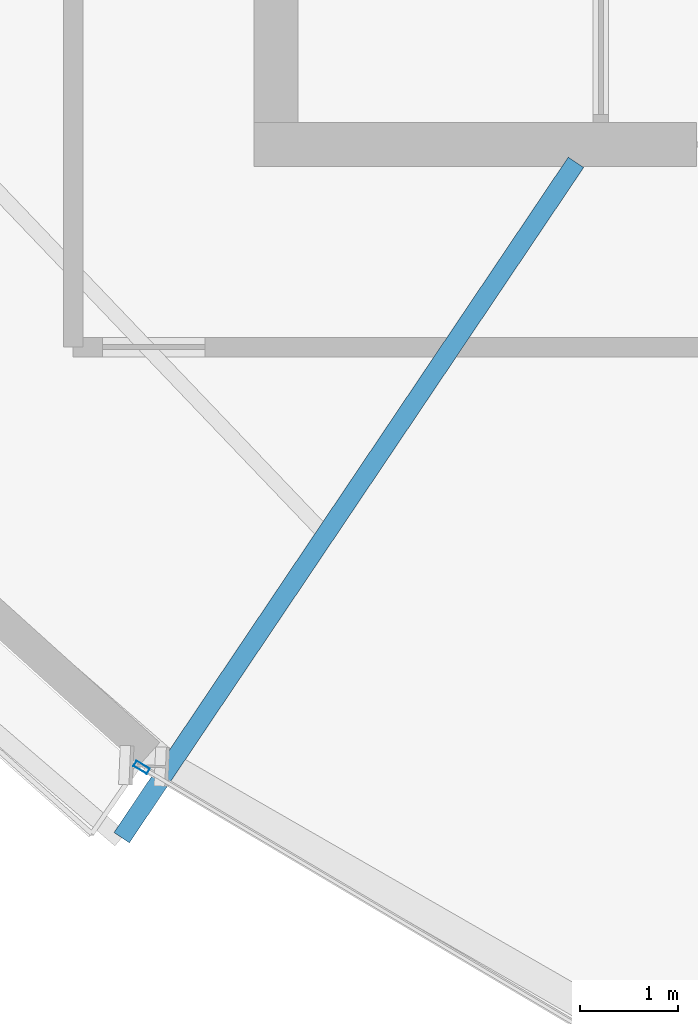
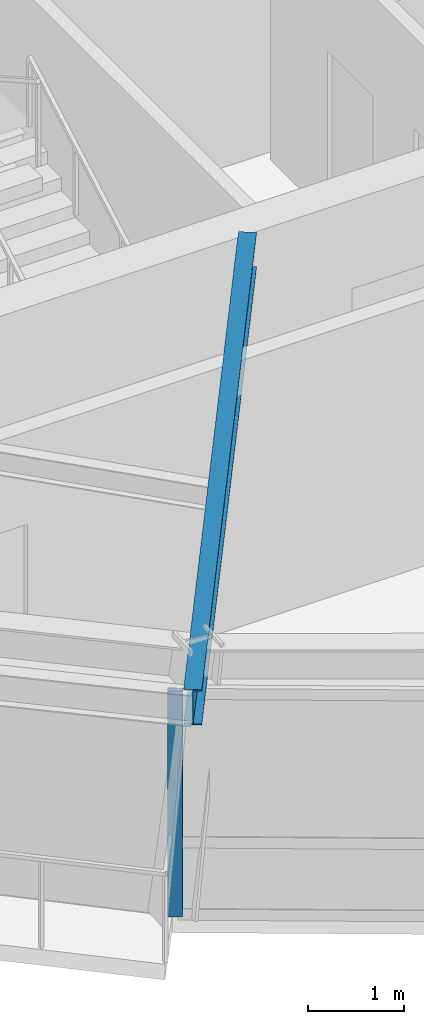
# One storey, part 2 of 14: 1 beam, 1 member, 1 element without a shape of its own.
"""IFC4 building model written with IfcOpenShell, lengths in metres."""

import ifcopenshell
import ifcopenshell.guid

model = None  # the IFC model being written
_history = None  # IfcOwnerHistory: only IFC2X3 demands one
_inside = {}  # id of a spatial element -> (the spatial element, [elements in it])
_under = {}  # id of a project, library or spatial element -> (it, [spatial elements below it])
_declared = {}  # id of a project -> (the project, [libraries it declares])
_typed = {}  # id of a type object -> (the type object, [elements of that type])
_made_of = {}  # id of a material, layer set ... -> (it, [elements and type objects made of it])


def new_model(schema):
    """Start an empty IFC model of exactly this schema.

    Asked for "IFC4X3", IfcOpenShell would pick the latest addendum, in which some entities
    have other attributes; the version numbers below select the first issue.
    IFC2X3 requires an IfcOwnerHistory on every rooted entity: one is made here for all.
    """
    global model, _history
    if schema == "IFC4X3":
        model = ifcopenshell.file(schema_version=(4, 3, 0, 0))
    else:
        model = ifcopenshell.file(schema=schema)
    _inside.clear()
    _under.clear()
    _declared.clear()
    _typed.clear()
    _made_of.clear()
    _history = None
    if model.schema == "IFC2X3":
        org = make("IfcOrganization", Name="unknown")
        user = make(
            "IfcPersonAndOrganization",
            ThePerson=make("IfcPerson", FamilyName="unknown"),
            TheOrganization=org,
        )
        app = make(
            "IfcApplication",
            ApplicationDeveloper=org,
            Version="unknown",
            ApplicationFullName="unknown",
            ApplicationIdentifier="unknown",
        )
        _history = make(
            "IfcOwnerHistory",
            OwningUser=user,
            OwningApplication=app,
            ChangeAction="ADDED",
            CreationDate=0,
        )
    return model


def make(cls, **values):
    """One entity of the class cls with the attributes given. An attribute that is None is left unset."""
    return model.create_entity(
        cls, **{name: value for name, value in values.items() if value is not None}
    )


def rooted(cls, **values):
    """An entity with a GlobalId (a new one), such as an element, a storey or a relation."""
    return make(cls, GlobalId=ifcopenshell.guid.new(), OwnerHistory=_history, **values)


def si_unit(unit_type, name, prefix=None):
    """IfcSIUnit, for example si_unit("LENGTHUNIT", "METRE", prefix="MILLI")."""
    return make("IfcSIUnit", UnitType=unit_type, Prefix=prefix, Name=name)


def assignment(units):
    """IfcUnitAssignment: the units of a project."""
    return None if units is None else make("IfcUnitAssignment", Units=units)


def point(xyz):
    """IfcCartesianPoint."""
    return None if xyz is None else make("IfcCartesianPoint", Coordinates=xyz)


def direction(xyz):
    """IfcDirection."""
    return None if xyz is None else make("IfcDirection", DirectionRatios=xyz)


def frame(location, z_axis=None, x_axis=None):
    """IfcAxis2Placement3D, a coordinate frame: its origin and axes. An axis left out is left unset."""
    return make(
        "IfcAxis2Placement3D",
        Location=point(location),
        Axis=direction(z_axis),
        RefDirection=direction(x_axis),
    )


def frame_2d(location, x_axis=None):
    """IfcAxis2Placement2D, a coordinate frame in the plane: its origin and x axis."""
    return make(
        "IfcAxis2Placement2D", Location=point(location), RefDirection=direction(x_axis)
    )


def origin():
    """The frame at (0, 0, 0) with its axes left unset."""
    return frame((0.0, 0.0, 0.0))


def origin_2d():
    """The frame at (0, 0) in the plane with its x axis left unset."""
    return frame_2d((0.0, 0.0))


def place(relative_to, where):
    """IfcLocalPlacement: puts the frame where relative to a parent placement (None: the world)."""
    return make(
        "IfcLocalPlacement", PlacementRelTo=relative_to, RelativePlacement=where
    )


def context(
    kind, dimensions, precision=None, world=None, true_north=None, identifier=None
):
    """IfcGeometricRepresentationContext, for example the 3D "Model" context."""
    return make(
        "IfcGeometricRepresentationContext",
        ContextIdentifier=identifier,
        ContextType=kind,
        CoordinateSpaceDimension=dimensions,
        Precision=precision,
        WorldCoordinateSystem=world,
        TrueNorth=true_north,
    )


def subcontext(parent, identifier, kind, view, scale=None):
    """IfcGeometricRepresentationSubContext, for example "Body" below "Model"."""
    return make(
        "IfcGeometricRepresentationSubContext",
        ContextIdentifier=identifier,
        ContextType=kind,
        ParentContext=parent,
        TargetScale=scale,
        TargetView=view,
    )


def project(units=None, contexts=None):
    """IfcProject with its units and contexts."""
    return rooted(
        "IfcProject",
        Name="project",
        RepresentationContexts=contexts,
        UnitsInContext=assignment(units),
    )


def spatial(cls, under=None, at=None, **own):
    """A site, building, storey or space (cls), placed at a placement, below another one or the project."""
    s = rooted(cls, ObjectPlacement=at, **own)
    if under is not None:
        _under.setdefault(under.id(), (under, []))[1].append(s)
    return s


def profile(cls, at=None, kind="AREA", **sizes):
    """A parametric profile (cls). Its sizes go by their IFC names, for example OverallWidth=200.0."""
    return make(cls, ProfileType=kind, Position=at, **sizes)


def hollow_rectangle(**sizes):
    """IfcRectangleHollowProfileDef."""
    return profile("IfcRectangleHollowProfileDef", **sizes)


def i_section(**sizes):
    """IfcIShapeProfileDef."""
    return profile("IfcIShapeProfileDef", **sizes)


def extrude(swept, where, along, depth):
    """IfcExtrudedAreaSolid: the profile swept, set in the frame where, extruded along a direction by depth."""
    return make(
        "IfcExtrudedAreaSolid",
        SweptArea=swept,
        Position=where,
        ExtrudedDirection=direction(along),
        Depth=depth,
    )


def shape(context_of_items, identifier, shape_type, items):
    """IfcShapeRepresentation: the items that make up one representation, for example the "Body"."""
    return make(
        "IfcShapeRepresentation",
        ContextOfItems=context_of_items,
        RepresentationIdentifier=identifier,
        RepresentationType=shape_type,
        Items=items,
    )


def source(mapping_origin, context_of_items, identifier, shape_type, items):
    """IfcRepresentationMap: a shape defined once, which mapped items show again and again."""
    return make(
        "IfcRepresentationMap",
        MappingOrigin=mapping_origin,
        MappedRepresentation=shape(context_of_items, identifier, shape_type, items),
    )


def transform(
    local_origin,
    x_axis=None,
    y_axis=None,
    z_axis=None,
    scale=None,
    scale2=None,
    scale3=None,
    uniform=True,
):
    """IfcCartesianTransformationOperator3D, or its non-uniform kind. x_axis, y_axis, z_axis: its Axis1, 2, 3."""
    if uniform:
        return make(
            "IfcCartesianTransformationOperator3D",
            Axis1=direction(x_axis),
            Axis2=direction(y_axis),
            LocalOrigin=point(local_origin),
            Scale=scale,
            Axis3=direction(z_axis),
        )
    return make(
        "IfcCartesianTransformationOperator3DnonUniform",
        Axis1=direction(x_axis),
        Axis2=direction(y_axis),
        LocalOrigin=point(local_origin),
        Scale=scale,
        Axis3=direction(z_axis),
        Scale2=scale2,
        Scale3=scale3,
    )


def mapped(mapping_source, mapping_target):
    """IfcMappedItem: shows the shape of a source again, moved by a transform."""
    return make(
        "IfcMappedItem", MappingSource=mapping_source, MappingTarget=mapping_target
    )


def material(Name=None, Category=None):
    """IfcMaterial."""
    return make("IfcMaterial", Name=Name, Category=Category)


def material_profile(
    of_material, cross_section, Name=None, Category=None, Priority=None
):
    """IfcMaterialProfile: a cross section and its material."""
    return make(
        "IfcMaterialProfile",
        Name=Name,
        Material=of_material,
        Profile=cross_section,
        Priority=Priority,
        Category=Category,
    )


def profile_set(profiles, Name=None, composite=None):
    """IfcMaterialProfileSet."""
    return make(
        "IfcMaterialProfileSet",
        Name=Name,
        MaterialProfiles=profiles,
        CompositeProfile=composite,
    )


def made_of(thing, what):
    """Note that an element or type object is made of a material, layer set ...; save() writes the relation."""
    if what is not None:
        _made_of.setdefault(what.id(), (what, []))[1].append(thing)
    return thing


def type_object(cls, material=None, **own):
    """A type object (cls), such as IfcWallType, which elements share."""
    return made_of(rooted(cls, **own), material)


def element(
    cls,
    number,
    at=None,
    inside=None,
    cuts=None,
    type_object=None,
    material=None,
    context=None,
    identifier="Body",
    shape_type=None,
    held_by="IfcProductDefinitionShape",
    body=None,
    shapes=None,
    **own,
):
    """One element of the class cls, such as IfcWall. Its Tag is "e" and its number.

    at: its placement. inside: the storey or other place that contains it. cuts: it is an
    opening in that element (IfcRelVoidsElement). A single representation is given by context,
    identifier, shape_type and body (its items); several are given by shapes. held_by: the class
    of the entity that holds the representations. save() writes the other relations.
    """
    e = rooted(cls, Tag="e%d" % number, ObjectPlacement=at, **own)
    if body is not None:
        shapes = [shape(context, identifier, shape_type, body)]
    if shapes is not None:
        e.Representation = make(held_by, Representations=shapes)
    if inside is not None:
        _inside.setdefault(inside.id(), (inside, []))[1].append(e)
    if cuts is not None:
        rooted(
            "IfcRelVoidsElement", RelatingBuildingElement=cuts, RelatedOpeningElement=e
        )
    if type_object is not None:
        _typed.setdefault(type_object.id(), (type_object, []))[1].append(e)
    return made_of(e, material)


def aggregate(whole, parts):
    """IfcRelAggregates: a whole, such as a stair, and the parts it consists of."""
    return rooted("IfcRelAggregates", RelatingObject=whole, RelatedObjects=parts)


def save(model, path):
    """Write the relations noted so far, then the file.

    IfcRelAggregates (storeys below a building ...), IfcRelContainedInSpatialStructure (elements
    in a storey), IfcRelDefinesByType, IfcRelAssociatesMaterial and IfcRelDeclares: one each for
    every whole, place, type object, material and project.
    """
    for whole, parts in _under.values():
        aggregate(whole, parts)
    for where, things in _inside.values():
        rooted(
            "IfcRelContainedInSpatialStructure",
            RelatedElements=things,
            RelatingStructure=where,
        )
    for kind, things in _typed.values():
        rooted("IfcRelDefinesByType", RelatedObjects=things, RelatingType=kind)
    for what, things in _made_of.values():
        rooted("IfcRelAssociatesMaterial", RelatedObjects=things, RelatingMaterial=what)
    for by, libraries in _declared.values():
        rooted("IfcRelDeclares", RelatingContext=by, RelatedDefinitions=libraries)
    model.write(path)


model = new_model("IFC4")

# Units and contexts
model_context = context("Model", 3, precision=1e-05, world=origin(), true_north=direction((0.0, 1.0)))
body_context = subcontext(model_context, "Body", "Model", "MODEL_VIEW")
ifc_project = project(units=[si_unit("LENGTHUNIT", "METRE"), si_unit("AREAUNIT", "SQUARE_METRE"), si_unit("VOLUMEUNIT", "CUBIC_METRE"), si_unit("PLANEANGLEUNIT", "RADIAN"), si_unit("MASSUNIT", "GRAM", prefix="KILO")], contexts=[model_context])

# Site, building, storey
site_placement = place(None, origin())
site = spatial("IfcSite", under=ifc_project, at=site_placement, CompositionType="ELEMENT")
building_placement = place(site_placement, origin())
building = spatial("IfcBuilding", under=site, at=building_placement, Name="Olszyna Solenne Hotel", CompositionType="ELEMENT")
storey_placement = place(building_placement, frame((0.0, 0.0, 259.699951171875)))
storey = spatial("IfcBuildingStorey", under=building, at=storey_placement, Name="L69", CompositionType="ELEMENT", Elevation=259.699951171875)

# Beam
ifc_material_1 = material(Name="Steel S355J2", Category="steel")
ifc_material_profile_1 = material_profile(ifc_material_1, i_section(OverallWidth=0.18994140625, OverallDepth=0.449951171875, WebThickness=0.009521484375, FlangeThickness=0.0146484375, at=origin_2d()), Name="IPE 450", Category="load-bearing")
ifc_profile_set_1 = profile_set([ifc_material_profile_1], Name="Steel S355J2")
beam_type = type_object("IfcBeamType", Name="BM-F4", PredefinedType="BEAM", material=ifc_profile_set_1)
shared_shape_1 = source(origin(), body_context, "Body", "SweptSolid", [
    extrude(i_section(OverallWidth=0.18994140625, OverallDepth=0.449951171875, WebThickness=0.009521484375, FlangeThickness=0.0146484375, at=origin_2d()), origin(), (0.0, 0.0, 1.0), 8.329833984375),
])
beam_placement = place(storey_placement, frame((28.2958984375, 12.18017578125, 3.155029296875), z_axis=(0.558171922994, 0.829725318633, 0.0), x_axis=(-0.829725318633, 0.558171922994, 0.0)))
element("IfcBeam", 1, at=beam_placement, inside=storey, type_object=beam_type, Name="Radial floor girder BM-F4 B-L69-2043", PredefinedType="BEAM", context=body_context, shape_type="MappedRepresentation", body=[
    mapped(shared_shape_1, transform((0.0, 0.0, 0.0), x_axis=(1.0, 0.0, 0.0), y_axis=(0.0, 1.0, 0.0), z_axis=(0.0, 0.0, 1.0), scale=1.0)),
])

# Curtain wall, member
ifc_material_2 = material(Name="Anodised bronze aluminium", Category="aluminium")
curtain_wall_type = type_object("IfcCurtainWallType", Name="CW-SYS-4", PredefinedType="NOTDEFINED", material=ifc_material_2)
curtain_wall_placement = place(storey_placement, origin())
curtain_wall = element("IfcCurtainWall", 2, at=curtain_wall_placement, inside=storey, type_object=curtain_wall_type, Name="Unitised curtain wall CW-SYS-4 CW-L69-01", PredefinedType="NOTDEFINED")
ifc_material_profile_2 = material_profile(ifc_material_2, hollow_rectangle(XDim=0.06494140625, YDim=0.159912109375, WallThickness=0.00390625, at=origin_2d()), Name="MULL 160x65x4", Category="load-bearing")
ifc_profile_set_2 = profile_set([ifc_material_profile_2], Name="Anodised bronze aluminium")
member_type = type_object("IfcMemberType", Name="CW-M3", PredefinedType="MULLION", material=ifc_profile_set_2)
shared_shape_2 = source(origin(), body_context, "Body", "SweptSolid", [
    extrude(hollow_rectangle(XDim=0.06494140625, YDim=0.159912109375, WallThickness=0.00390625, at=origin_2d()), origin(), (0.0, 0.0, 1.0), 2.8720703125),
])
member_placement = place(storey_placement, frame((28.499755859375, 12.900390625, 0.0), z_axis=(0.0, 0.0, 1.0), x_axis=(0.509708693758, 0.860347050618, 0.0)))
member = element("IfcMember", 3, at=member_placement, type_object=member_type, Name="Curtain-wall mullion CW-M3 CM-L69-01-01", PredefinedType="MULLION", context=body_context, shape_type="MappedRepresentation", body=[
    mapped(shared_shape_2, transform((0.0, 0.0, 0.0), x_axis=(1.0, 0.0, 0.0), y_axis=(0.0, 1.0, 0.0), z_axis=(0.0, 0.0, 1.0), scale=1.0)),
])
aggregate(curtain_wall, [member])

save(model, "model.ifc")
